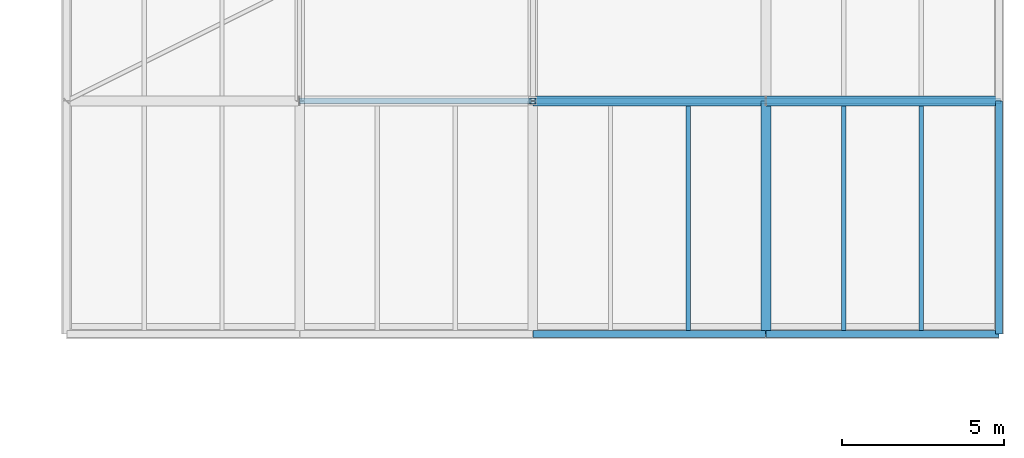
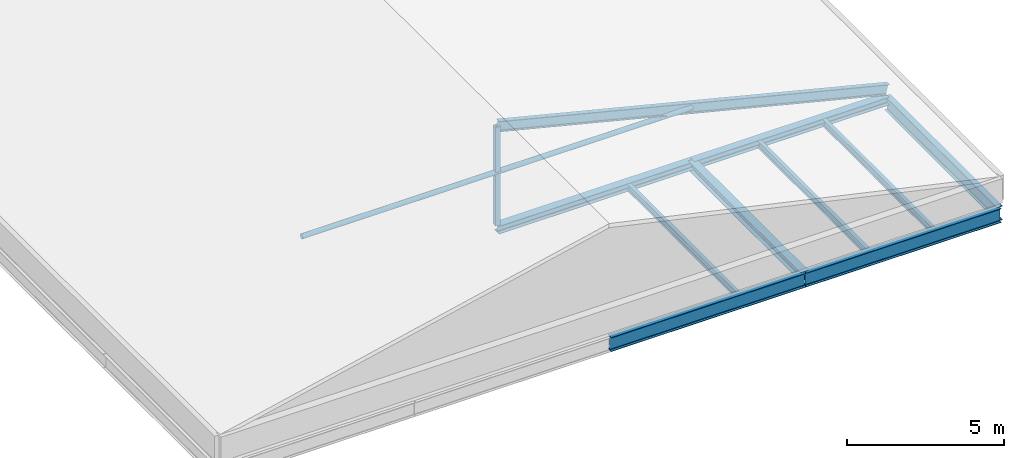
# One storey, part 4 of 44: 9 beams, 3 members.
"""IFC4 building model written with IfcOpenShell, lengths in metres."""

from ifc_helpers import new_model, si_unit, direction, frame, origin, origin_2d, place, context, subcontext, project, spatial, hollow_rectangle, hollow_circle, i_section, extrude, material, material_profile, profile_set, type_object, element, save


model = new_model("IFC4")

# Units and contexts
model_context = context("Model", 3, precision=1e-05, world=origin(), true_north=direction((0.0, 1.0)))
body_context = subcontext(model_context, "Body", "Model", "MODEL_VIEW")
ifc_project = project(units=[si_unit("LENGTHUNIT", "METRE"), si_unit("AREAUNIT", "SQUARE_METRE"), si_unit("VOLUMEUNIT", "CUBIC_METRE"), si_unit("PLANEANGLEUNIT", "RADIAN"), si_unit("MASSUNIT", "GRAM", prefix="KILO")], contexts=[model_context])

# Site, building, storey
site_placement = place(None, origin())
site = spatial("IfcSite", under=ifc_project, at=site_placement, CompositionType="ELEMENT")
building_placement = place(site_placement, origin())
building = spatial("IfcBuilding", under=site, at=building_placement, Name="Narikvali Park Central Library", CompositionType="ELEMENT")
storey_placement = place(building_placement, frame((0.0, 0.0, 22.800048828125)))
storey = spatial("IfcBuildingStorey", under=building, at=storey_placement, Name="L05", CompositionType="ELEMENT", Elevation=22.800048828125)

# Member
ifc_material = material(Name="Steel S355", Category="steel")
ifc_material_profile_1 = material_profile(ifc_material, hollow_rectangle(XDim=0.179931640625, YDim=0.179931640625, WallThickness=0.010009765625, at=origin_2d()), Name="SHS 180x180x10")
ifc_profile_set_1 = profile_set([ifc_material_profile_1], Name="Steel S355")
member_type_1 = type_object("IfcMemberType", Name="Auditorium Truss Vertical SHS180", PredefinedType="COLLAR", material=ifc_profile_set_1)
member_1_placement = place(storey_placement, frame((43.199951171875, 64.800048828125, -0.239990234375), z_axis=(0.0, 0.0, 1.0), x_axis=(1.0, 0.0, 0.0)))
element("IfcMember", 1, at=member_1_placement, inside=storey, type_object=member_type_1, Name="V4 Roof Truss King Strut 1", PredefinedType="COLLAR", context=body_context, shape_type="SweptSolid", body=[
    extrude(hollow_rectangle(XDim=0.179931640625, YDim=0.179931640625, WallThickness=0.010009765625, at=origin_2d()), origin(), (0.0, 0.0, 1.0), 3.83984375),
])

# Beams
ifc_material_profile_2 = material_profile(ifc_material, i_section(OverallWidth=0.135009765625, OverallDepth=0.27001953125, WebThickness=0.006591796875, FlangeThickness=0.01025390625, FilletRadius=0.014892578125, at=origin_2d()), Name="IPE 270")
ifc_profile_set_2 = profile_set([ifc_material_profile_2], Name="Steel S355")
beam_type_1 = type_object("IfcBeamType", Name="Composite Floor Joist IPE270", PredefinedType="JOIST", material=ifc_profile_set_2)
for number, where, z_axis, x_axis, name in (
    (2, (48.0, 57.705078125, -0.375), (0.0, 1.0, 0.0), (-1.0, 0.0, 0.0), "V4 L05 Composite Joist 2"),
    (3, (52.800048828125, 57.705078125, -0.375), (0.0, 1.0, 0.0), (-1.0, 0.0, 0.0), "V4 L05 Composite Joist 1"),
    (4, (55.199951171875, 57.705078125, -0.375), (0.0, 1.0, 0.0), (-1.0, 0.0, 0.0), "V4 L05 Composite Joist 2"),
):
    element("IfcBeam", number, at=place(storey_placement, frame(where, z_axis=z_axis, x_axis=x_axis)), inside=storey, type_object=beam_type_1, Name=name, PredefinedType="JOIST", context=body_context, shape_type="SweptSolid", body=[
        extrude(i_section(OverallWidth=0.135009765625, OverallDepth=0.27001953125, WebThickness=0.006591796875, FlangeThickness=0.01025390625, FilletRadius=0.014892578125, at=origin_2d()), origin(), (0.0, 0.0, 1.0), 6.94482421875),
    ])

# Members
ifc_material_profile_3 = material_profile(ifc_material, i_section(OverallWidth=0.179931640625, OverallDepth=0.39990234375, WebThickness=0.008544921875, FlangeThickness=0.013427734375, FilletRadius=0.02099609375, at=origin_2d()), Name="IPE 400")
ifc_profile_set_3 = profile_set([ifc_material_profile_3], Name="Steel S355")
member_type_2 = type_object("IfcMemberType", Name="Long-Span Pavilion Rafter IPE400", PredefinedType="RAFTER", material=ifc_profile_set_3)
member_2_placement = place(storey_placement, frame((43.199951171875, 64.800048828125, 3.599853515625), z_axis=(0.970145402643, 0.0, -0.24252401475), x_axis=(0.0, 1.0, 0.0)))
element("IfcMember", 5, at=member_2_placement, inside=storey, type_object=member_type_2, Name="V4 Roof Rafter E 1", PredefinedType="RAFTER", context=body_context, shape_type="SweptSolid", body=[
    extrude(i_section(OverallWidth=0.179931640625, OverallDepth=0.39990234375, WebThickness=0.008544921875, FlangeThickness=0.013427734375, FilletRadius=0.02099609375, at=origin_2d()), origin(), (0.0, 0.0, 1.0), 14.84326171875),
])
ifc_material_profile_4 = material_profile(ifc_material, hollow_circle(Radius=0.096923828125, WallThickness=0.010009765625, at=origin_2d()), Name="CHS 193.7x10")
ifc_profile_set_4 = profile_set([ifc_material_profile_4], Name="Steel S355")
member_type_3 = type_object("IfcMemberType", Name="Pavilion Roof Collar Tie CHS193", PredefinedType="COLLAR", material=ifc_profile_set_4)
member_3_placement = place(storey_placement, frame((36.0, 64.800048828125, 1.800048828125), z_axis=(1.0, 0.0, 0.0), x_axis=(0.0, 1.0, 0.0)))
element("IfcMember", 6, at=member_3_placement, inside=storey, type_object=member_type_3, Name="V4 Roof Collar Tie 1", PredefinedType="COLLAR", context=body_context, shape_type="SweptSolid", body=[
    extrude(hollow_circle(Radius=0.096923828125, WallThickness=0.010009765625, at=origin_2d()), origin(), (0.0, 0.0, 1.0), 14.39990234375),
])

# Beams
ifc_material_profile_5 = material_profile(ifc_material, i_section(OverallWidth=0.2099609375, OverallDepth=0.550048828125, WebThickness=0.010986328125, FlangeThickness=0.01708984375, FilletRadius=0.02392578125, at=origin_2d()), Name="IPE 550")
ifc_profile_set_5 = profile_set([ifc_material_profile_5], Name="Steel S355")
beam_type_2 = type_object("IfcBeamType", Name="Perimeter Spandrel IPE550", PredefinedType="SPANDREL", material=ifc_profile_set_5)
for number, where, z_axis, x_axis, name in (
    (7, (43.2080078125, 57.60009765625, -0.51513671875), (1.0, 0.0, 0.0), (0.0, 1.0, 0.0), "V4 L05 Girder X"),
    (8, (50.407958984375, 57.60009765625, -0.51513671875), (1.0, 0.0, 0.0), (0.0, 1.0, 0.0), "V4 L05 Girder X"),
    (9, (57.60009765625, 57.60791015625, -0.51513671875), (0.0, 1.0, 0.0), (-1.0, 0.0, 0.0), "V4 L05 Girder Y"),
):
    element("IfcBeam", number, at=place(storey_placement, frame(where, z_axis=z_axis, x_axis=x_axis)), inside=storey, type_object=beam_type_2, Name=name, PredefinedType="SPANDREL", context=body_context, shape_type="SweptSolid", body=[
        extrude(i_section(OverallWidth=0.2099609375, OverallDepth=0.550048828125, WebThickness=0.010986328125, FlangeThickness=0.01708984375, FilletRadius=0.02392578125, at=origin_2d()), origin(), (0.0, 0.0, 1.0), 7.18408203125),
    ])
ifc_material_profile_6 = material_profile(ifc_material, i_section(OverallWidth=0.300048828125, OverallDepth=0.31005859375, WebThickness=0.009033203125, FlangeThickness=0.015380859375, FilletRadius=0.027099609375, at=origin_2d()), Name="HEA 320")
ifc_profile_set_6 = profile_set([ifc_material_profile_6], Name="Steel S355")
beam_type_3 = type_object("IfcBeamType", Name="Primary Girder HEA320", PredefinedType="BEAM", material=ifc_profile_set_6)
for number, where, z_axis, x_axis, name in (
    (10, (43.2080078125, 64.800048828125, -0.39501953125), (1.0, 0.0, 0.0), (0.0, 1.0, 0.0), "V4 L05 Girder X"),
    (11, (50.407958984375, 64.800048828125, -0.39501953125), (1.0, 0.0, 0.0), (0.0, 1.0, 0.0), "V4 L05 Girder X"),
):
    element("IfcBeam", number, at=place(storey_placement, frame(where, z_axis=z_axis, x_axis=x_axis)), inside=storey, type_object=beam_type_3, Name=name, PredefinedType="BEAM", context=body_context, shape_type="SweptSolid", body=[
        extrude(i_section(OverallWidth=0.300048828125, OverallDepth=0.31005859375, WebThickness=0.009033203125, FlangeThickness=0.015380859375, FilletRadius=0.027099609375, at=origin_2d()), origin(), (0.0, 0.0, 1.0), 7.18408203125),
    ])
ifc_material_profile_7 = material_profile(ifc_material, i_section(OverallWidth=0.300048828125, OverallDepth=0.35009765625, WebThickness=0.010009765625, FlangeThickness=0.017578125, FilletRadius=0.027099609375, at=origin_2d()), Name="HEA 360")
ifc_profile_set_7 = profile_set([ifc_material_profile_7], Name="Steel S355")
beam_type_4 = type_object("IfcBeamType", Name="Primary Girder HEA360", PredefinedType="BEAM", material=ifc_profile_set_7)
beam_placement = place(storey_placement, frame((50.39990234375, 57.60791015625, -0.4150390625), z_axis=(0.0, 1.0, 0.0), x_axis=(-1.0, 0.0, 0.0)))
element("IfcBeam", 12, at=beam_placement, inside=storey, type_object=beam_type_4, Name="V4 L05 Girder Y", PredefinedType="BEAM", context=body_context, shape_type="SweptSolid", body=[
    extrude(i_section(OverallWidth=0.300048828125, OverallDepth=0.35009765625, WebThickness=0.010009765625, FlangeThickness=0.017578125, FilletRadius=0.027099609375, at=origin_2d()), origin(), (0.0, 0.0, 1.0), 7.18408203125),
])

save(model, "model.ifc")
